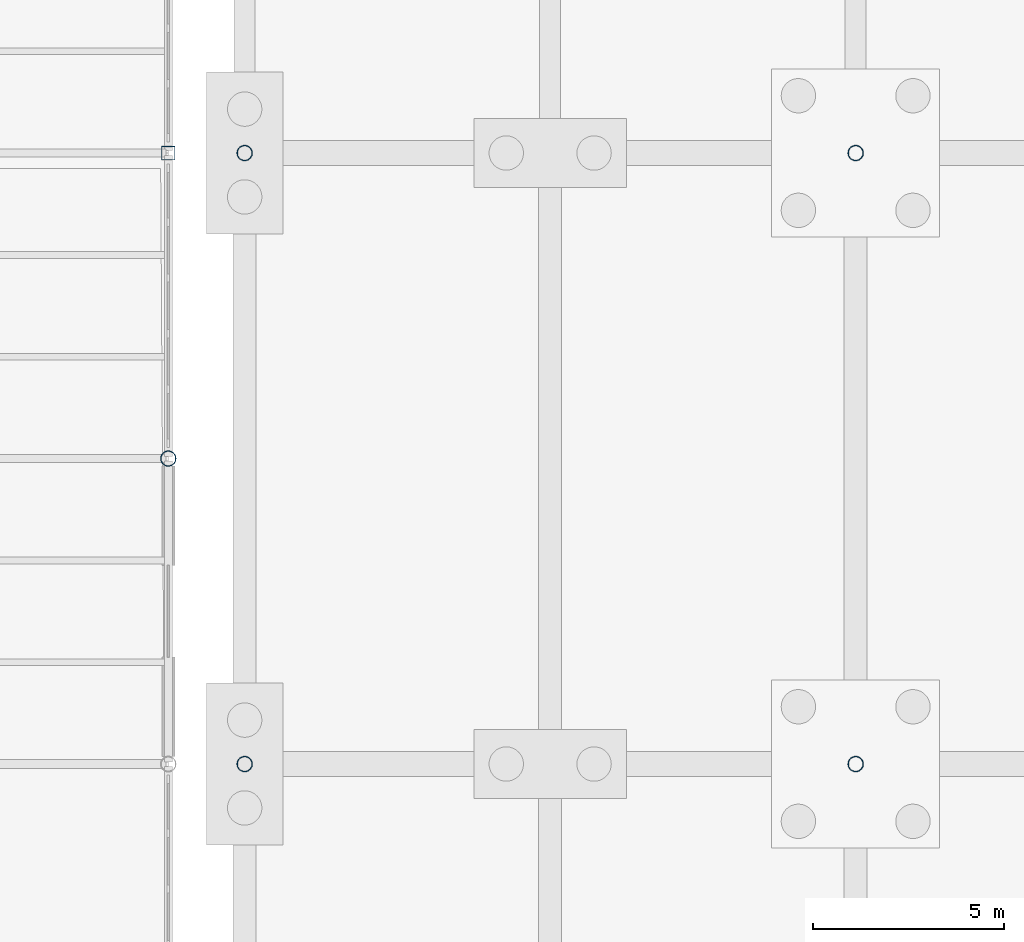
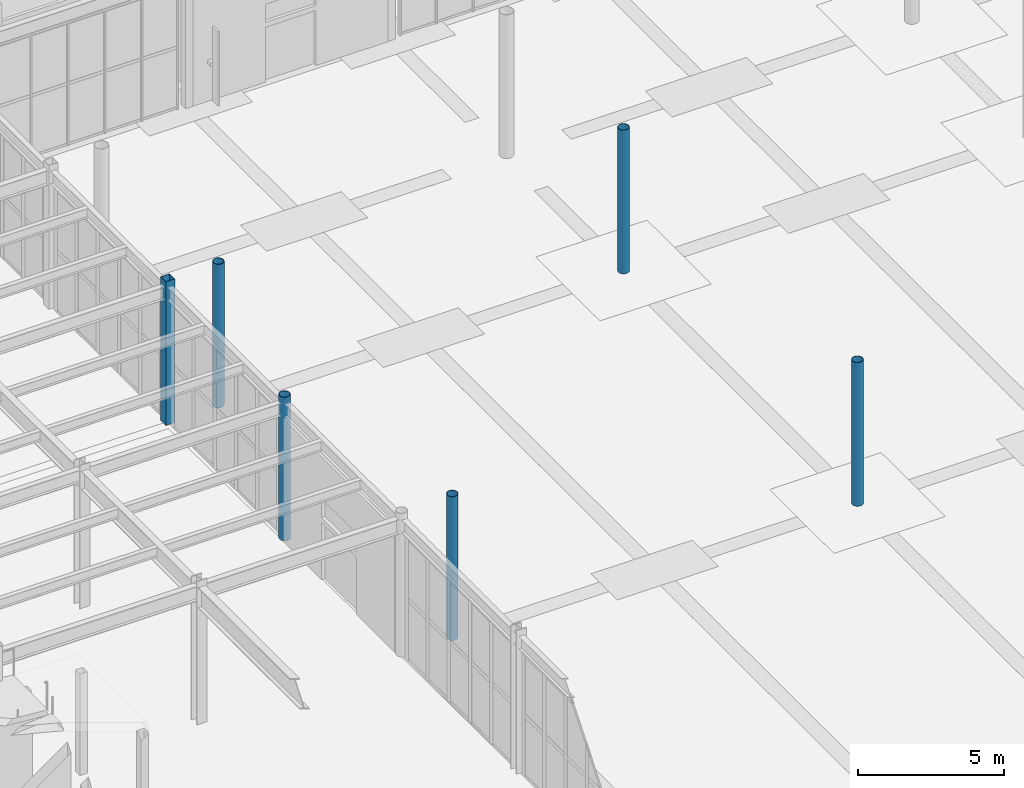
# One storey, part 12 of 82: 6 columns.
"""IFC4 building model written with IfcOpenShell, lengths in metres."""

from ifc_helpers import new_model, si_unit, direction, frame, origin, origin_2d, place, context, subcontext, project, spatial, hollow_rectangle, hollow_circle, extrude, material, material_profile, profile_set, type_object, element, save


model = new_model("IFC4")

# Units and contexts
model_context = context("Model", 3, precision=1e-05, world=origin(), true_north=direction((0.0, 1.0)))
body_context = subcontext(model_context, "Body", "Model", "MODEL_VIEW")
ifc_project = project(units=[si_unit("LENGTHUNIT", "METRE"), si_unit("AREAUNIT", "SQUARE_METRE"), si_unit("VOLUMEUNIT", "CUBIC_METRE"), si_unit("PLANEANGLEUNIT", "RADIAN"), si_unit("MASSUNIT", "GRAM", prefix="KILO")], contexts=[model_context])

# Site, building, storey
site_placement = place(None, origin())
site = spatial("IfcSite", under=ifc_project, at=site_placement, CompositionType="ELEMENT")
building_placement = place(site_placement, origin())
building = spatial("IfcBuilding", under=site, at=building_placement, Name="Drelvath Fold Interchange", CompositionType="ELEMENT")
storey_placement = place(building_placement, origin())
storey = spatial("IfcBuildingStorey", under=building, at=storey_placement, Name="L00", CompositionType="ELEMENT", Elevation=0.0)

# Columns
ifc_material = material(Name="Steel ASTM A500 Grade C", Category="steel")
ifc_material_profile_1 = material_profile(ifc_material, hollow_circle(Radius=0.202880859375, WallThickness=0.014892578125, at=origin_2d()), Name="HSS16.000X0.625")
ifc_profile_set_1 = profile_set([ifc_material_profile_1], Name="Steel ASTM A500 Grade C")
column_type_1 = type_object("IfcColumnType", Name="COL-CHS406", PredefinedType="COLUMN", material=ifc_profile_set_1)
for number, where, z_axis, x_axis, name in (
    (1, (100.0, 51.0, 0.0), (0.0, 0.0, 1.0), (1.0, 0.0, 0.0), "L00 column (100,51)"),
    (2, (102.0, 43.0, 0.0), (0.0, 0.0, 1.0), (1.0, 0.0, 0.0), "L00 column (102,43)"),
    (3, (102.0, 59.0, 0.0), (0.0, 0.0, 1.0), (1.0, 0.0, 0.0), "L00 column (102,59)"),
    (4, (118.0, 43.0, 0.0), (0.0, 0.0, 1.0), (1.0, 0.0, 0.0), "L00 column (118,43)"),
    (5, (118.0, 59.0, 0.0), (0.0, 0.0, 1.0), (1.0, 0.0, 0.0), "L00 column (118,59)"),
):
    element("IfcColumn", number, at=place(storey_placement, frame(where, z_axis=z_axis, x_axis=x_axis)), inside=storey, type_object=column_type_1, Name=name, PredefinedType="COLUMN", context=body_context, shape_type="SweptSolid", body=[
        extrude(hollow_circle(Radius=0.202880859375, WallThickness=0.014892578125, at=origin_2d()), origin(), (0.0, 0.0, 1.0), 6.0),
    ])
ifc_material_profile_2 = material_profile(ifc_material, hollow_rectangle(XDim=0.35595703125, YDim=0.35595703125, WallThickness=0.014892578125, at=origin_2d()), Name="HSS14X14X5/8")
ifc_profile_set_2 = profile_set([ifc_material_profile_2], Name="Steel ASTM A500 Grade C")
column_type_2 = type_object("IfcColumnType", Name="COL-HSS356", PredefinedType="COLUMN", material=ifc_profile_set_2)
column_placement = place(storey_placement, frame((100.0, 59.0, 0.0), z_axis=(0.0, 0.0, 1.0), x_axis=(1.0, 0.0, 0.0)))
element("IfcColumn", 6, at=column_placement, inside=storey, type_object=column_type_2, Name="L00 column (100,59)", PredefinedType="COLUMN", context=body_context, shape_type="SweptSolid", body=[
    extrude(hollow_rectangle(XDim=0.35595703125, YDim=0.35595703125, WallThickness=0.014892578125, at=origin_2d()), origin(), (0.0, 0.0, 1.0), 6.0),
])

save(model, "model.ifc")
